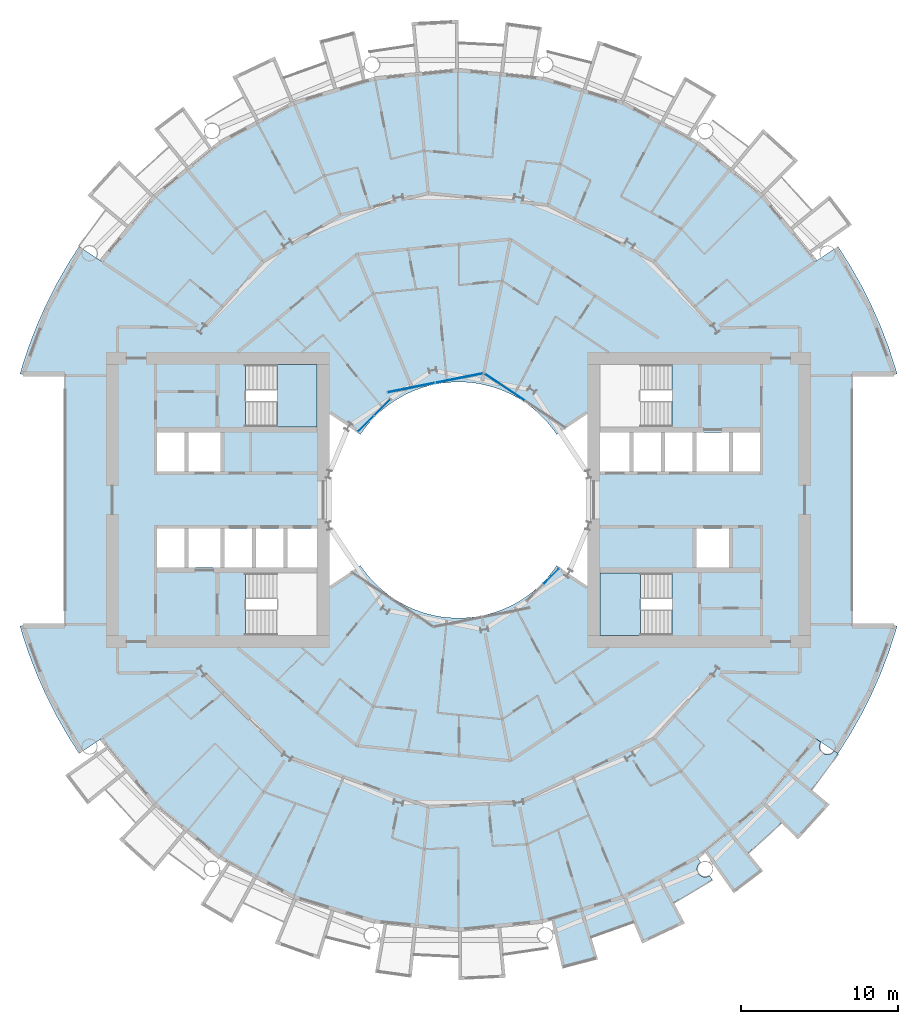
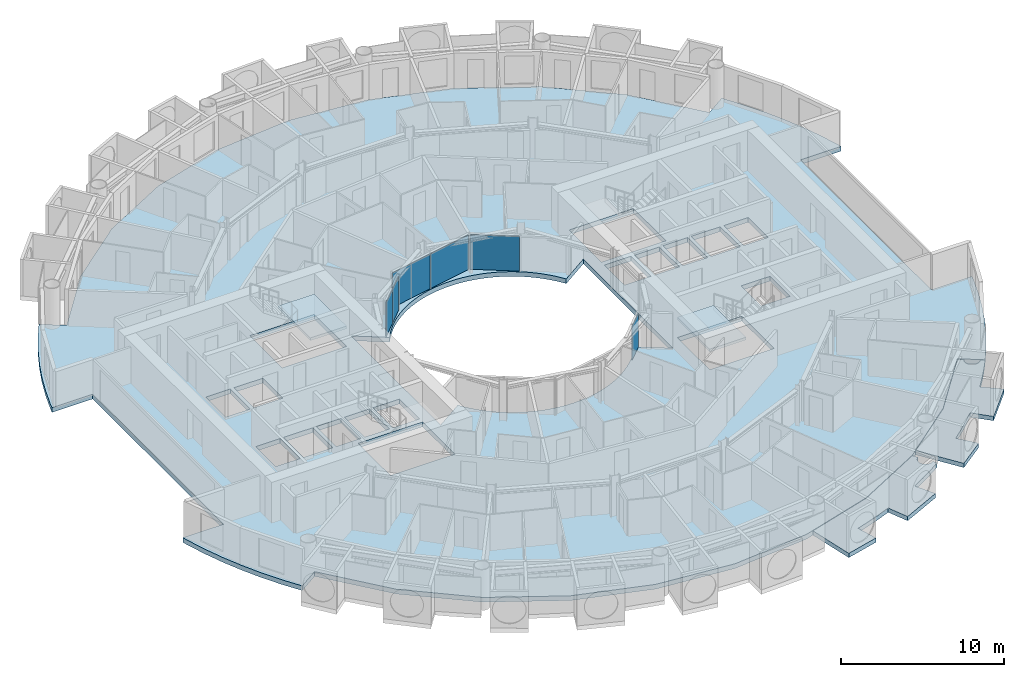
# One storey, part 10 of 26: 6 plates, 5 slabs, 6 elements without a shape of their own.
"""IFC4 building model written with IfcOpenShell, lengths in metres."""

from ifc_helpers import new_model, si_unit, direction, frame, origin, origin_2d, place, context, subcontext, project, spatial, polyline, rectangle, outline, extrude, material, layer, layer_set, type_object, element, aggregate, save


model = new_model("IFC4")

# Units and contexts
model_context = context("Model", 3, precision=1e-05, world=origin(), true_north=direction((0.0, 1.0)))
body_context = subcontext(model_context, "Body", "Model", "MODEL_VIEW")
ifc_project = project(units=[si_unit("LENGTHUNIT", "METRE"), si_unit("AREAUNIT", "SQUARE_METRE"), si_unit("VOLUMEUNIT", "CUBIC_METRE"), si_unit("PLANEANGLEUNIT", "RADIAN"), si_unit("MASSUNIT", "GRAM", prefix="KILO")], contexts=[model_context])

# Site, building, storey
site_placement = place(None, origin())
site = spatial("IfcSite", under=ifc_project, at=site_placement, CompositionType="ELEMENT")
building_placement = place(site_placement, origin())
building = spatial("IfcBuilding", under=site, at=building_placement, Name="Maasbend Ring Residences", CompositionType="ELEMENT")
storey_placement = place(building_placement, frame((0.0, 0.0, 22.800048828125)))
storey = spatial("IfcBuildingStorey", under=building, at=storey_placement, Name="L05", CompositionType="ELEMENT", Elevation=22.800048828125)

# Stair, slab
ifc_material_1 = material(Name="Concrete C40/50", Category="concrete")
stair_type = type_object("IfcStairType", Name="CORE STAIR 18 RISERS", PredefinedType="HALF_TURN_STAIR", material=ifc_material_1)
stair_1_placement = place(storey_placement, origin())
stair_1 = element("IfcStair", 1, at=stair_1_placement, inside=storey, type_object=stair_type, Name="L05 Exit stair ST-E2", PredefinedType="HALF_TURN_STAIR")
ifc_material_2 = material(Name="Concrete C40/50", Category="concrete")
ifc_layer_1 = layer(ifc_material_2, 0.199951171875)
ifc_layer_set_1 = layer_set([ifc_layer_1], Name="Concrete C40/50")
slab_type_1 = type_object("IfcSlabType", Name="CORE STAIR LANDING 200", PredefinedType="LANDING", material=ifc_layer_set_1)
slab_1_placement = place(storey_placement, frame((0.0, 0.0, 1.324951171875)))
slab_1 = element("IfcSlab", 2, at=slab_1_placement, type_object=slab_type_1, Name="ST-E2 landing 1", PredefinedType="LANDING", context=body_context, shape_type="SweptSolid", body=[
    extrude(outline(polyline([(11.550048828125, -4.64990234375), (9.0, -4.64990234375), (9.0, -8.60009765625), (11.550048828125, -8.60009765625), (11.550048828125, -4.64990234375)])), origin(), (0.0, 0.0, 1.0), 0.199951171875),
])
aggregate(stair_1, [slab_1])

stair_2_placement = place(storey_placement, origin())
stair_2 = element("IfcStair", 3, at=stair_2_placement, inside=storey, type_object=stair_type, Name="L05 Exit stair ST-W2", PredefinedType="HALF_TURN_STAIR")
slab_2_placement = place(storey_placement, frame((0.0, 0.0, 1.324951171875)))
slab_2 = element("IfcSlab", 4, at=slab_2_placement, type_object=slab_type_1, Name="ST-W2 landing 1", PredefinedType="LANDING", context=body_context, shape_type="SweptSolid", body=[
    extrude(outline(polyline([(-11.550048828125, 4.64990234375), (-9.0, 4.64990234375), (-9.0, 8.60009765625), (-11.550048828125, 8.60009765625), (-11.550048828125, 4.64990234375)])), origin(), (0.0, 0.0, 1.0), 0.199951171875),
])
aggregate(stair_2, [slab_2])

# Curtain wall, plate
ifc_material_3 = material(Name="Aluminium and clear glass", Category="aluminium")
ifc_layer_2 = layer(ifc_material_3, 0.179931640625)
ifc_layer_set_2 = layer_set([ifc_layer_2], Name="CW-W")
curtain_wall_type = type_object("IfcCurtainWallType", Name="CW-W", PredefinedType="NOTDEFINED", material=ifc_layer_set_2)
curtain_wall_1_placement = place(storey_placement, origin())
curtain_wall_1 = element("IfcCurtainWall", 5, at=curtain_wall_1_placement, inside=storey, type_object=curtain_wall_type, Name="Well curtain wall N1", PredefinedType="NOTDEFINED")
ifc_material_4 = material(Name="Glass clear laminated", Category="glass")
ifc_layer_3 = layer(ifc_material_4, 0.031982421875)
ifc_layer_set_3 = layer_set([ifc_layer_3], Name="CWP-W")
plate_type = type_object("IfcPlateType", Name="CWP-W", PredefinedType="CURTAIN_PANEL", material=ifc_layer_set_3)
plate_1_placement = place(storey_placement, frame((2.922119140625, 7.17578125, 0.0), z_axis=(0.0, 0.0, 1.0), x_axis=(-0.831469612303, 0.55557023302, 0.0)))
plate_1 = element("IfcPlate", 6, at=plate_1_placement, type_object=plate_type, Name="Glass panel well face", PredefinedType="CURTAIN_PANEL", context=body_context, shape_type="SweptSolid", body=[
    extrude(rectangle(XDim=3.053955078125, YDim=0.031982421875, at=origin_2d()), origin(), (0.0, 0.0, 1.0), 2.580078125),
])
aggregate(curtain_wall_1, [plate_1])

# Curtain wall, plates
curtain_wall_2_placement = place(storey_placement, origin())
curtain_wall_2 = element("IfcCurtainWall", 7, at=curtain_wall_2_placement, inside=storey, type_object=curtain_wall_type, Name="Well curtain wall N2", PredefinedType="NOTDEFINED")
plate_2_placement = place(storey_placement, frame((0.04638671875, 7.747802734375, 0.0), z_axis=(0.0, 0.0, 1.0), x_axis=(-0.980785280403, -0.195090322016, 0.0)))
plate_2 = element("IfcPlate", 8, at=plate_2_placement, type_object=plate_type, Name="Glass panel well face", PredefinedType="CURTAIN_PANEL", context=body_context, shape_type="SweptSolid", body=[
    extrude(rectangle(XDim=3.053955078125, YDim=0.031982421875, at=origin_2d()), origin(), (0.0, 0.0, 1.0), 2.580078125),
])
plate_3_placement = place(storey_placement, frame((-3.0078125, 7.140380859375, 0.0), z_axis=(0.0, 0.0, 1.0), x_axis=(-0.980785280403, -0.195090322016, 0.0)))
plate_3 = element("IfcPlate", 9, at=plate_3_placement, type_object=plate_type, Name="Glass panel well face", PredefinedType="CURTAIN_PANEL", context=body_context, shape_type="SweptSolid", body=[
    extrude(rectangle(XDim=3.053955078125, YDim=0.031982421875, at=origin_2d()), origin(), (0.0, 0.0, 1.0), 2.580078125),
])
aggregate(curtain_wall_2, [plate_2, plate_3])

curtain_wall_3_placement = place(storey_placement, origin())
curtain_wall_3 = element("IfcCurtainWall", 10, at=curtain_wall_3_placement, inside=storey, type_object=curtain_wall_type, Name="Well curtain wall N3", PredefinedType="NOTDEFINED")
plate_4_placement = place(storey_placement, frame((-4.84375, 5.89013671875, 0.0), z_axis=(0.0, 0.0, 1.0), x_axis=(-0.707106781187, -0.707106781187, 0.0)))
plate_4 = element("IfcPlate", 11, at=plate_4_placement, type_object=plate_type, Name="Glass panel well face", PredefinedType="CURTAIN_PANEL", context=body_context, shape_type="SweptSolid", body=[
    extrude(rectangle(XDim=1.419677734375, YDim=0.031982421875, at=origin_2d()), origin(), (0.0, 0.0, 1.0), 2.580078125),
])
plate_5_placement = place(storey_placement, frame((-5.89013671875, 4.84375, 0.0), z_axis=(0.0, 0.0, 1.0), x_axis=(-0.707106781187, -0.707106781187, 0.0)))
plate_5 = element("IfcPlate", 12, at=plate_5_placement, type_object=plate_type, Name="Glass panel well face", PredefinedType="CURTAIN_PANEL", context=body_context, shape_type="SweptSolid", body=[
    extrude(rectangle(XDim=1.419677734375, YDim=0.031982421875, at=origin_2d()), origin(), (0.0, 0.0, 1.0), 2.580078125),
])
aggregate(curtain_wall_3, [plate_4, plate_5])

# Curtain wall, plate
curtain_wall_4_placement = place(storey_placement, origin())
curtain_wall_4 = element("IfcCurtainWall", 13, at=curtain_wall_4_placement, inside=storey, type_object=curtain_wall_type, Name="Well curtain wall S3", PredefinedType="NOTDEFINED")
plate_6_placement = place(storey_placement, frame((5.89013671875, -4.84375, 0.0), z_axis=(0.0, 0.0, 1.0), x_axis=(0.707106781187, 0.707106781187, 0.0)))
plate_6 = element("IfcPlate", 14, at=plate_6_placement, type_object=plate_type, Name="Glass panel well face", PredefinedType="CURTAIN_PANEL", context=body_context, shape_type="SweptSolid", body=[
    extrude(rectangle(XDim=1.419677734375, YDim=0.031982421875, at=origin_2d()), origin(), (0.0, 0.0, 1.0), 2.580078125),
])
aggregate(curtain_wall_4, [plate_6])

# Slabs
ifc_material_5 = material(Name="Concrete C40/50", Category="concrete")
ifc_layer_4 = layer(ifc_material_5, 0.35009765625)
ifc_layer_set_4 = layer_set([ifc_layer_4], Name="Concrete C40/50")
slab_type_2 = type_object("IfcSlabType", Name="Post-tensioned flat plate 350", PredefinedType="FLOOR", material=ifc_layer_set_4)
slab_3_placement = place(storey_placement, frame((0.0, 0.0, -0.35009765625)))
element("IfcSlab", 15, at=slab_3_placement, inside=storey, type_object=slab_type_2, Name="Floor slab L05", PredefinedType="FLOOR", context=body_context, shape_type="SweptSolid", body=[
    extrude(outline(polyline([(24.8740234375, -14.908935546875), (25.57568359375, -13.67041015625), (26.2158203125, -12.399169921875), (26.79248046875, -11.097900390625), (27.3046875, -9.769775390625), (27.751220703125, -8.418212890625), (27.866943359375, -8.0), (25.0, -8.0), (25.0, 8.0), (27.866943359375, 8.0), (27.751220703125, 8.418212890625), (27.3046875, 9.769775390625), (26.79248046875, 11.097900390625), (26.2158203125, 12.399169921875), (25.57568359375, 13.67041015625), (24.8740234375, 14.908935546875), (24.112548828125, 16.111572265625), (22.69921875, 15.1669921875), (19.303955078125, 19.303955078125), (15.1669921875, 22.69921875), (10.447265625, 25.221923828125), (5.325927734375, 26.775390625), (0.0, 27.300048828125), (-5.325927734375, 26.775390625), (-10.447265625, 25.221923828125), (-15.1669921875, 22.69921875), (-19.303955078125, 19.303955078125), (-22.69921875, 15.1669921875), (-24.112548828125, 16.111572265625), (-24.8740234375, 14.908935546875), (-25.57568359375, 13.67041015625), (-26.2158203125, 12.399169921875), (-26.79248046875, 11.097900390625), (-27.3046875, 9.769775390625), (-27.751220703125, 8.418212890625), (-27.866943359375, 8.0), (-25.0, 8.0), (-25.0, -8.0), (-27.866943359375, -8.0), (-27.751220703125, -8.418212890625), (-27.3046875, -9.769775390625), (-26.79248046875, -11.097900390625), (-26.2158203125, -12.399169921875), (-25.57568359375, -13.67041015625), (-24.8740234375, -14.908935546875), (-24.112548828125, -16.111572265625), (-22.69921875, -15.1669921875), (-19.303955078125, -19.303955078125), (-15.1669921875, -22.69921875), (-10.447265625, -25.221923828125), (-5.325927734375, -26.775390625), (0.0, -27.300048828125), (5.325927734375, -26.775390625), (10.447265625, -25.221923828125), (15.1669921875, -22.69921875), (19.303955078125, -19.303955078125), (22.69921875, -15.1669921875), (24.112548828125, -16.111572265625), (24.8740234375, -14.908935546875)]), holes=[polyline([(17.425048828125, 4.27490234375), (19.14990234375, 4.27490234375), (19.14990234375, 1.824951171875), (17.425048828125, 1.824951171875), (17.425048828125, 4.27490234375)]), polyline([(15.125, 1.824951171875), (15.125, 4.27490234375), (17.175048828125, 4.27490234375), (17.175048828125, 1.824951171875), (15.125, 1.824951171875)]), polyline([(15.125, -4.27490234375), (15.125, -1.824951171875), (17.175048828125, -1.824951171875), (17.175048828125, -4.27490234375), (15.125, -4.27490234375)]), polyline([(13.125, 1.824951171875), (13.125, 4.27490234375), (14.875, 4.27490234375), (14.875, 1.824951171875), (13.125, 1.824951171875)]), polyline([(13.550048828125, 4.64990234375), (9.0, 4.64990234375), (9.0, 8.60009765625), (13.550048828125, 8.60009765625), (13.550048828125, 4.64990234375)]), polyline([(13.550048828125, -4.64990234375), (13.550048828125, -8.60009765625), (9.0, -8.60009765625), (9.0, -4.64990234375), (13.550048828125, -4.64990234375)]), polyline([(11.125, 1.824951171875), (11.125, 4.27490234375), (12.875, 4.27490234375), (12.875, 1.824951171875), (11.125, 1.824951171875)]), polyline([(9.0, 1.824951171875), (9.0, 4.27490234375), (10.875, 4.27490234375), (10.875, 1.824951171875), (9.0, 1.824951171875)]), polyline([(6.024169921875, 4.4677734375), (6.236083984375, 4.166748046875), (8.199951171875, 5.47900390625), (8.199951171875, -5.47900390625), (6.236083984375, -4.166748046875), (6.024169921875, -4.4677734375), (5.797607421875, -4.7578125), (5.55712890625, -5.03662109375), (5.30322265625, -5.30322265625), (5.03662109375, -5.55712890625), (4.7578125, -5.797607421875), (4.4677734375, -6.024169921875), (4.166748046875, -6.236083984375), (3.855712890625, -6.43310546875), (3.535400390625, -6.614501953125), (3.206787109375, -6.77978515625), (2.8701171875, -6.92919921875), (2.526611328125, -7.0615234375), (2.177001953125, -7.177001953125), (1.822509765625, -7.275146484375), (1.463134765625, -7.35595703125), (1.1005859375, -7.418701171875), (0.735107421875, -7.4638671875), (0.367919921875, -7.490966796875), (0.0, -7.5), (-0.367919921875, -7.490966796875), (-0.735107421875, -7.4638671875), (-1.1005859375, -7.418701171875), (-1.463134765625, -7.35595703125), (-1.822509765625, -7.275146484375), (-2.177001953125, -7.177001953125), (-2.526611328125, -7.0615234375), (-2.8701171875, -6.92919921875), (-3.206787109375, -6.77978515625), (-3.535400390625, -6.614501953125), (-3.855712890625, -6.43310546875), (-4.166748046875, -6.236083984375), (-4.4677734375, -6.024169921875), (-4.7578125, -5.797607421875), (-5.03662109375, -5.55712890625), (-5.30322265625, -5.30322265625), (-5.55712890625, -5.03662109375), (-5.797607421875, -4.7578125), (-6.024169921875, -4.4677734375), (-6.236083984375, -4.166748046875), (-8.199951171875, -5.47900390625), (-8.199951171875, 5.47900390625), (-6.236083984375, 4.166748046875), (-6.236083984375, 4.166748046875), (-6.024169921875, 4.4677734375), (-5.797607421875, 4.7578125), (-5.55712890625, 5.03662109375), (-5.30322265625, 5.30322265625), (-5.03662109375, 5.55712890625), (-4.7578125, 5.797607421875), (-4.4677734375, 6.024169921875), (-4.166748046875, 6.236083984375), (-3.855712890625, 6.43310546875), (-3.535400390625, 6.614501953125), (-3.206787109375, 6.77978515625), (-2.8701171875, 6.92919921875), (-2.526611328125, 7.0615234375), (-2.177001953125, 7.177001953125), (-1.822509765625, 7.275146484375), (-1.463134765625, 7.35595703125), (-1.1005859375, 7.418701171875), (-0.735107421875, 7.4638671875), (-0.367919921875, 7.490966796875), (0.0, 7.5), (0.367919921875, 7.490966796875), (0.735107421875, 7.4638671875), (1.1005859375, 7.418701171875), (1.463134765625, 7.35595703125), (1.822509765625, 7.275146484375), (2.177001953125, 7.177001953125), (2.526611328125, 7.0615234375), (2.8701171875, 6.92919921875), (3.206787109375, 6.77978515625), (3.535400390625, 6.614501953125), (3.855712890625, 6.43310546875), (4.166748046875, 6.236083984375), (4.4677734375, 6.024169921875), (4.7578125, 5.797607421875), (5.03662109375, 5.55712890625), (5.30322265625, 5.30322265625), (5.55712890625, 5.03662109375), (5.797607421875, 4.7578125), (6.024169921875, 4.4677734375)]), polyline([(-13.550048828125, 4.64990234375), (-13.550048828125, 8.60009765625), (-9.0, 8.60009765625), (-9.0, 4.64990234375), (-13.550048828125, 4.64990234375)]), polyline([(-13.550048828125, -8.60009765625), (-13.550048828125, -4.64990234375), (-9.0, -4.64990234375), (-9.0, -8.60009765625), (-13.550048828125, -8.60009765625)]), polyline([(-9.0, -1.824951171875), (-9.0, -4.27490234375), (-10.875, -4.27490234375), (-10.875, -1.824951171875), (-9.0, -1.824951171875)]), polyline([(-11.125, -1.824951171875), (-11.125, -4.27490234375), (-12.875, -4.27490234375), (-12.875, -1.824951171875), (-11.125, -1.824951171875)]), polyline([(-13.125, -1.824951171875), (-13.125, -4.27490234375), (-14.875, -4.27490234375), (-14.875, -1.824951171875), (-13.125, -1.824951171875)]), polyline([(-15.125, 4.27490234375), (-15.125, 1.824951171875), (-17.175048828125, 1.824951171875), (-17.175048828125, 4.27490234375), (-15.125, 4.27490234375)]), polyline([(-15.125, -1.824951171875), (-15.125, -4.27490234375), (-17.175048828125, -4.27490234375), (-17.175048828125, -1.824951171875), (-15.125, -1.824951171875)]), polyline([(-17.425048828125, -1.824951171875), (-17.425048828125, -4.27490234375), (-19.14990234375, -4.27490234375), (-19.14990234375, -1.824951171875), (-17.425048828125, -1.824951171875)]), polyline([(-17.425048828125, 4.27490234375), (-17.425048828125, 1.824951171875), (-19.14990234375, 1.824951171875), (-19.14990234375, 4.27490234375), (-17.425048828125, 4.27490234375)])]), origin(), (0.0, 0.0, 1.0), 0.35009765625),
])
ifc_material_6 = material(Name="Concrete C40/50", Category="concrete")
ifc_layer_5 = layer(ifc_material_6, 0.199951171875)
ifc_layer_set_5 = layer_set([ifc_layer_5], Name="Concrete C40/50")
slab_type_3 = type_object("IfcSlabType", Name="SL-LOGGIA", PredefinedType="FLOOR", material=ifc_layer_set_5)
slab_4_placement = place(storey_placement, frame((0.0, 0.0, -0.35009765625)))
element("IfcSlab", 16, at=slab_4_placement, inside=storey, type_object=slab_type_3, Name="Loggia floor 1", PredefinedType="FLOOR", context=body_context, shape_type="SweptSolid", body=[
    extrude(outline(polyline([(10.447021484375, -25.221923828125), (12.806884765625, -23.9609375), (15.1669921875, -22.698974609375), (15.1669921875, -22.698974609375), (15.1669921875, -22.698974609375), (15.385009765625, -23.02490234375), (15.375, -23.031982421875), (15.364013671875, -23.0390625), (15.35498046875, -23.047119140625), (15.344970703125, -23.054931640625), (15.3349609375, -23.06298828125), (15.325927734375, -23.071044921875), (15.31689453125, -23.0791015625), (15.30810546875, -23.087890625), (15.299072265625, -23.096923828125), (15.291015625, -23.10595703125), (15.281982421875, -23.115966796875), (15.27392578125, -23.125), (15.26708984375, -23.135009765625), (15.259033203125, -23.14501953125), (15.251953125, -23.155029296875), (15.2451171875, -23.1650390625), (15.238037109375, -23.176025390625), (15.23095703125, -23.18603515625), (15.22509765625, -23.197021484375), (15.218994140625, -23.2080078125), (15.212890625, -23.218994140625), (15.2080078125, -23.22998046875), (15.202880859375, -23.241943359375), (15.197998046875, -23.2529296875), (15.193115234375, -23.264892578125), (15.18896484375, -23.27587890625), (15.18505859375, -23.2880859375), (15.180908203125, -23.300048828125), (15.177978515625, -23.31201171875), (15.174072265625, -23.323974609375), (15.1708984375, -23.3359375), (15.1689453125, -23.347900390625), (15.1669921875, -23.361083984375), (15.1650390625, -23.373046875), (15.1630859375, -23.385009765625), (15.162109375, -23.39794921875), (15.159912109375, -23.409912109375), (15.159912109375, -23.422119140625), (15.158935546875, -23.43505859375), (15.158935546875, -23.447021484375), (15.158935546875, -23.4599609375), (15.159912109375, -23.471923828125), (15.159912109375, -23.485107421875), (15.162109375, -23.4970703125), (15.1630859375, -23.510009765625), (15.1650390625, -23.52197265625), (15.1669921875, -23.533935546875), (15.1689453125, -23.547119140625), (15.1708984375, -23.55908203125), (15.174072265625, -23.571044921875), (15.177978515625, -23.5830078125), (15.180908203125, -23.594970703125), (15.18505859375, -23.60693359375), (15.18896484375, -23.618896484375), (15.193115234375, -23.6298828125), (15.197998046875, -23.64208984375), (15.202880859375, -23.653076171875), (15.2080078125, -23.6650390625), (15.212890625, -23.676025390625), (15.218994140625, -23.68701171875), (15.22509765625, -23.697998046875), (15.23095703125, -23.708984375), (15.238037109375, -23.718994140625), (15.2451171875, -23.72998046875), (15.251953125, -23.739990234375), (15.259033203125, -23.75), (15.26708984375, -23.760009765625), (15.27392578125, -23.77001953125), (15.281982421875, -23.779052734375), (15.291015625, -23.7890625), (15.299072265625, -23.798095703125), (15.30810546875, -23.806884765625), (15.31689453125, -23.81494140625), (15.325927734375, -23.823974609375), (15.3349609375, -23.83203125), (15.344970703125, -23.840087890625), (15.35498046875, -23.847900390625), (15.364013671875, -23.85498046875), (15.375, -23.863037109375), (15.385009765625, -23.8701171875), (15.39501953125, -23.876953125), (15.406005859375, -23.883056640625), (15.4169921875, -23.888916015625), (15.427978515625, -23.89501953125), (15.43896484375, -23.90087890625), (15.449951171875, -23.906982421875), (15.4609375, -23.912109375), (15.472900390625, -23.9169921875), (15.48388671875, -23.9208984375), (15.49609375, -23.926025390625), (15.508056640625, -23.929931640625), (15.52001953125, -23.93408203125), (15.531982421875, -23.93701171875), (15.5439453125, -23.93994140625), (15.555908203125, -23.943115234375), (15.568115234375, -23.946044921875), (15.580078125, -23.947998046875), (15.593017578125, -23.949951171875), (15.60498046875, -23.951904296875), (15.616943359375, -23.952880859375), (15.6298828125, -23.9541015625), (15.64208984375, -23.955078125), (15.655029296875, -23.955078125), (15.6669921875, -23.955078125), (15.679931640625, -23.955078125), (15.69189453125, -23.955078125), (15.7041015625, -23.9541015625), (15.717041015625, -23.952880859375), (15.72900390625, -23.951904296875), (15.741943359375, -23.949951171875), (15.75390625, -23.947998046875), (15.76611328125, -23.946044921875), (15.778076171875, -23.943115234375), (15.791015625, -23.93994140625), (15.802978515625, -23.93701171875), (15.81494140625, -23.93408203125), (15.825927734375, -23.929931640625), (15.837890625, -23.926025390625), (15.85009765625, -23.9208984375), (15.862060546875, -23.9169921875), (15.873046875, -23.912109375), (15.884033203125, -23.906982421875), (15.89599609375, -23.90087890625), (15.906982421875, -23.89501953125), (15.9169921875, -23.888916015625), (15.927978515625, -23.883056640625), (15.93896484375, -23.876953125), (15.948974609375, -23.8701171875), (16.112060546875, -24.113037109375), (16.112060546875, -24.113037109375), (16.112060546875, -24.113037109375), (15.31396484375, -24.626953125), (15.31396484375, -24.626953125), (14.5, -25.114990234375), (14.5, -25.114990234375), (13.6708984375, -25.574951171875), (13.6708984375, -25.575927734375), (13.6708984375, -25.575927734375), (13.6708984375, -25.575927734375), (13.6708984375, -25.575927734375), (13.6708984375, -25.575927734375), (13.6708984375, -25.575927734375), (13.6708984375, -25.575927734375), (13.6708984375, -25.575927734375), (13.6708984375, -25.575927734375), (13.6708984375, -25.575927734375), (13.6708984375, -25.575927734375), (13.6708984375, -25.575927734375), (13.6708984375, -25.575927734375), (13.6708984375, -25.575927734375), (13.6708984375, -25.575927734375), (13.6708984375, -25.575927734375), (14.3779296875, -26.89892578125), (14.3779296875, -26.89892578125), (14.3779296875, -26.89892578125), (11.672119140625, -28.177978515625), (11.672119140625, -28.177978515625), (11.672119140625, -28.177978515625), (11.097900390625, -26.79296875), (11.097900390625, -26.79296875), (11.097900390625, -26.79296875), (11.097900390625, -26.79296875), (11.097900390625, -26.79296875), (11.097900390625, -26.79296875), (11.097900390625, -26.79296875), (11.097900390625, -26.79296875), (11.097900390625, -26.79296875), (11.097900390625, -26.79296875), (11.097900390625, -26.79296875), (11.097900390625, -26.79296875), (11.097900390625, -26.79296875), (11.097900390625, -26.79296875), (11.096923828125, -26.79296875), (11.096923828125, -26.79296875), (11.096923828125, -26.79296875), (10.215087890625, -27.14111328125), (10.215087890625, -27.14111328125), (9.322021484375, -27.4609375), (9.322021484375, -27.4609375), (8.4189453125, -27.7509765625), (8.4189453125, -27.7509765625), (8.4189453125, -27.7509765625), (8.4189453125, -27.7509765625), (8.4189453125, -27.7509765625), (8.4189453125, -27.7509765625), (8.41796875, -27.7509765625), (8.41796875, -27.7509765625), (8.41796875, -27.7509765625), (8.41796875, -27.7509765625), (8.41796875, -27.7509765625), (8.41796875, -27.751953125), (8.41796875, -27.751953125), (8.41796875, -27.751953125), (8.41796875, -27.751953125), (8.41796875, -27.751953125), (8.41796875, -27.751953125), (8.85400390625, -29.18701171875), (8.85400390625, -29.18701171875), (8.85400390625, -29.18701171875), (6.593994140625, -29.779052734375), (6.593994140625, -29.779052734375), (6.593994140625, -29.779052734375), (5.89111328125, -26.60400390625), (5.89111328125, -26.60400390625), (5.89111328125, -26.60400390625), (7.886962890625, -25.9990234375), (10.447021484375, -25.221923828125), (10.447021484375, -25.221923828125), (10.447021484375, -25.221923828125)])), origin(), (0.0, 0.0, 1.0), 0.320068359375),
])
slab_5_placement = place(storey_placement, frame((0.0, 0.0, -0.35009765625)))
element("IfcSlab", 17, at=slab_5_placement, inside=storey, type_object=slab_type_3, Name="Loggia floor 4", PredefinedType="FLOOR", context=body_context, shape_type="SweptSolid", body=[
    extrude(outline(polyline([(19.303955078125, -19.303955078125), (21.001953125, -17.236083984375), (22.698974609375, -15.1669921875), (22.698974609375, -15.1669921875), (22.698974609375, -15.1669921875), (23.02490234375, -15.385009765625), (23.02490234375, -15.385009765625), (23.01806640625, -15.39501953125), (23.011962890625, -15.406005859375), (23.0048828125, -15.4169921875), (22.9990234375, -15.427978515625), (22.993896484375, -15.43896484375), (22.988037109375, -15.449951171875), (22.98291015625, -15.4609375), (22.97802734375, -15.472900390625), (22.972900390625, -15.48388671875), (22.968994140625, -15.49609375), (22.965087890625, -15.508056640625), (22.9609375, -15.52001953125), (22.9580078125, -15.531982421875), (22.955078125, -15.5439453125), (22.951904296875, -15.555908203125), (22.948974609375, -15.568115234375), (22.947021484375, -15.580078125), (22.945068359375, -15.593017578125), (22.943115234375, -15.60498046875), (22.94189453125, -15.616943359375), (22.94091796875, -15.6298828125), (22.93994140625, -15.64208984375), (22.93994140625, -15.655029296875), (22.93896484375, -15.6669921875), (22.93994140625, -15.679931640625), (22.93994140625, -15.69189453125), (22.94091796875, -15.7041015625), (22.94189453125, -15.717041015625), (22.943115234375, -15.72900390625), (22.945068359375, -15.741943359375), (22.947021484375, -15.75390625), (22.948974609375, -15.76611328125), (22.951904296875, -15.778076171875), (22.955078125, -15.791015625), (22.9580078125, -15.802978515625), (22.9609375, -15.81494140625), (22.965087890625, -15.825927734375), (22.968994140625, -15.837890625), (22.972900390625, -15.85009765625), (22.97802734375, -15.862060546875), (22.98291015625, -15.873046875), (22.988037109375, -15.884033203125), (22.993896484375, -15.89599609375), (22.9990234375, -15.906982421875), (23.0048828125, -15.9169921875), (23.011962890625, -15.927978515625), (23.01806640625, -15.93896484375), (23.02490234375, -15.948974609375), (23.031982421875, -15.9599609375), (23.0390625, -15.969970703125), (23.047119140625, -15.97998046875), (23.054931640625, -15.989013671875), (23.06298828125, -15.9990234375), (23.071044921875, -16.008056640625), (23.0791015625, -16.01708984375), (23.087890625, -16.02587890625), (23.096923828125, -16.034912109375), (23.10595703125, -16.0439453125), (23.115966796875, -16.052001953125), (23.125, -16.06005859375), (23.135009765625, -16.068115234375), (23.14501953125, -16.074951171875), (23.155029296875, -16.08203125), (23.1650390625, -16.089111328125), (23.176025390625, -16.095947265625), (23.18603515625, -16.10302734375), (23.197021484375, -16.10888671875), (23.2080078125, -16.114990234375), (23.218994140625, -16.12109375), (23.22998046875, -16.1259765625), (23.241943359375, -16.132080078125), (23.2529296875, -16.135986328125), (23.264892578125, -16.14111328125), (23.27587890625, -16.14501953125), (23.2880859375, -16.14892578125), (23.300048828125, -16.153076171875), (23.31201171875, -16.156982421875), (23.323974609375, -16.159912109375), (23.3359375, -16.1630859375), (23.347900390625, -16.1650390625), (23.361083984375, -16.16796875), (23.373046875, -16.169921875), (23.385009765625, -16.1708984375), (23.39794921875, -16.173095703125), (23.409912109375, -16.174072265625), (23.422119140625, -16.174072265625), (23.43505859375, -16.175048828125), (23.447021484375, -16.175048828125), (23.4599609375, -16.175048828125), (23.471923828125, -16.174072265625), (23.485107421875, -16.174072265625), (23.4970703125, -16.173095703125), (23.510009765625, -16.1708984375), (23.52197265625, -16.169921875), (23.533935546875, -16.16796875), (23.547119140625, -16.1650390625), (23.55908203125, -16.1630859375), (23.571044921875, -16.159912109375), (23.5830078125, -16.156982421875), (23.594970703125, -16.153076171875), (23.60693359375, -16.14892578125), (23.618896484375, -16.14501953125), (23.6298828125, -16.14111328125), (23.64208984375, -16.135986328125), (23.653076171875, -16.132080078125), (23.6650390625, -16.1259765625), (23.676025390625, -16.12109375), (23.68701171875, -16.114990234375), (23.697998046875, -16.10888671875), (23.708984375, -16.10302734375), (23.718994140625, -16.095947265625), (23.72998046875, -16.089111328125), (23.739990234375, -16.08203125), (23.75, -16.074951171875), (23.760009765625, -16.068115234375), (23.77001953125, -16.06005859375), (23.779052734375, -16.052001953125), (23.7890625, -16.0439453125), (23.798095703125, -16.034912109375), (23.806884765625, -16.02587890625), (23.81494140625, -16.01708984375), (23.823974609375, -16.008056640625), (23.83203125, -15.9990234375), (23.840087890625, -15.989013671875), (23.847900390625, -15.97998046875), (23.85498046875, -15.969970703125), (23.863037109375, -15.9599609375), (23.8701171875, -15.948974609375), (23.8701171875, -15.948974609375), (24.113037109375, -16.112060546875), (24.113037109375, -16.112060546875), (24.113037109375, -16.112060546875), (23.572998046875, -16.89208984375), (23.572998046875, -16.89208984375), (23.007080078125, -17.654052734375), (23.007080078125, -17.654052734375), (22.41796875, -18.39697265625), (22.41796875, -18.39697265625), (22.41796875, -18.39697265625), (22.41796875, -18.39697265625), (22.41796875, -18.39697265625), (22.41796875, -18.39697265625), (22.41796875, -18.39697265625), (22.41796875, -18.39697265625), (22.41796875, -18.39697265625), (22.41796875, -18.39697265625), (22.41796875, -18.39697265625), (22.41796875, -18.39794921875), (22.41796875, -18.39794921875), (22.41796875, -18.39794921875), (22.41796875, -18.39794921875), (22.41796875, -18.39794921875), (22.41796875, -18.39794921875), (23.576904296875, -19.34912109375), (23.576904296875, -19.34912109375), (23.576904296875, -19.34912109375), (21.56689453125, -21.56689453125), (21.56689453125, -21.56689453125), (21.56689453125, -21.56689453125), (20.506103515625, -20.506103515625), (20.506103515625, -20.506103515625), (20.506103515625, -20.506103515625), (20.506103515625, -20.506103515625), (20.506103515625, -20.506103515625), (20.506103515625, -20.506103515625), (20.506103515625, -20.506103515625), (20.506103515625, -20.506103515625), (20.506103515625, -20.506103515625), (20.506103515625, -20.506103515625), (20.506103515625, -20.506103515625), (20.506103515625, -20.506103515625), (20.506103515625, -20.506103515625), (20.506103515625, -20.506103515625), (20.506103515625, -20.506103515625), (20.506103515625, -20.506103515625), (20.506103515625, -20.506103515625), (19.823974609375, -21.166015625), (19.823974609375, -21.166015625), (19.12109375, -21.802978515625), (19.12109375, -21.802978515625), (18.39794921875, -22.4169921875), (18.39794921875, -22.4169921875), (18.39794921875, -22.4169921875), (18.39794921875, -22.4169921875), (18.39794921875, -22.4169921875), (18.39794921875, -22.4169921875), (18.39794921875, -22.4169921875), (18.39794921875, -22.4169921875), (18.39794921875, -22.4169921875), (18.39794921875, -22.4169921875), (18.39794921875, -22.4169921875), (18.39794921875, -22.4169921875), (18.39794921875, -22.41796875), (18.39794921875, -22.41796875), (18.39794921875, -22.41796875), (18.39794921875, -22.41796875), (18.39794921875, -22.41796875), (19.34912109375, -23.576904296875), (19.34912109375, -23.576904296875), (19.34912109375, -23.576904296875), (17.488037109375, -24.989013671875), (17.488037109375, -24.989013671875), (17.488037109375, -24.989013671875), (15.623046875, -22.324951171875), (15.623046875, -22.324951171875), (15.623046875, -22.324951171875), (17.236083984375, -21.001953125), (19.303955078125, -19.303955078125), (19.303955078125, -19.303955078125), (19.303955078125, -19.303955078125)])), origin(), (0.0, 0.0, 1.0), 0.320068359375),
])

save(model, "model.ifc")
